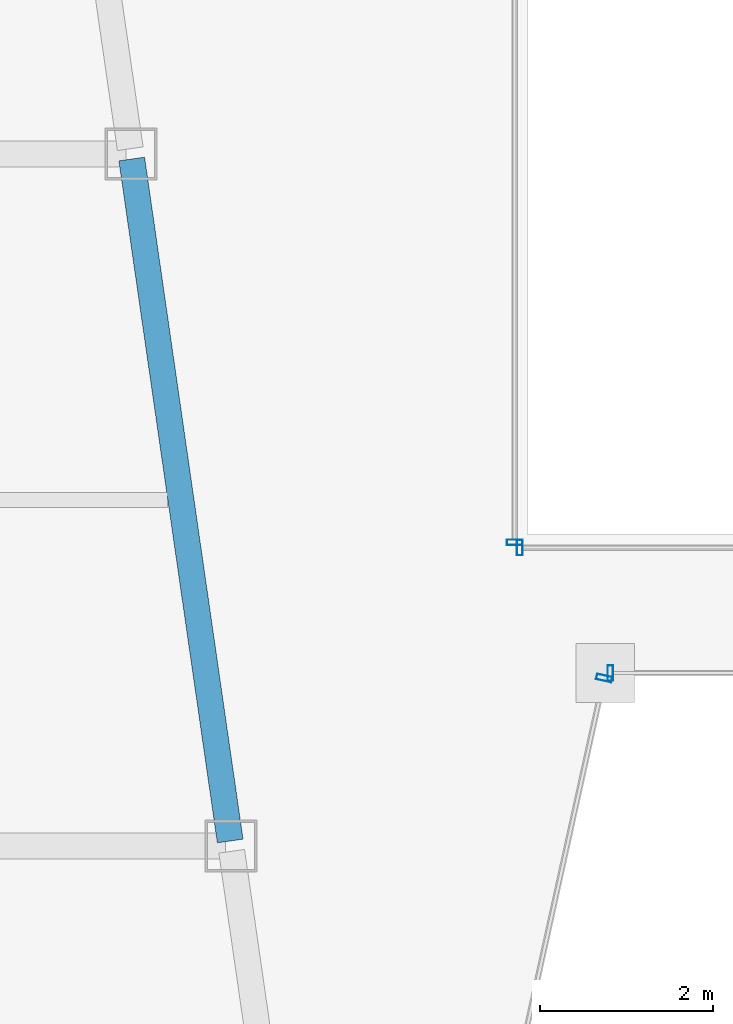
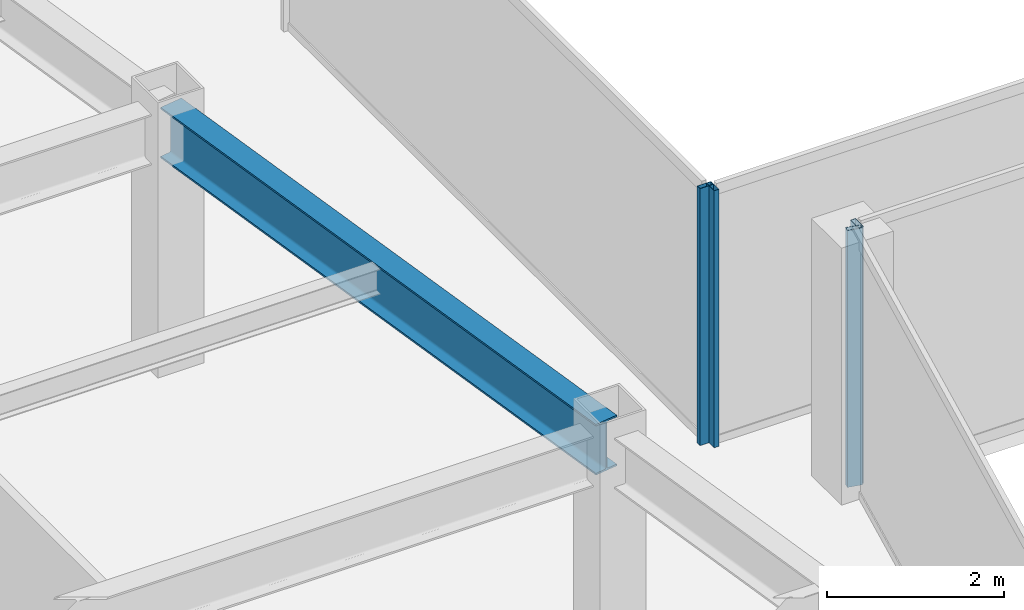
# One storey, part 6 of 35: 4 members, 1 beam, 4 elements without a shape of their own.
"""IFC4 building model written with IfcOpenShell, lengths in metres."""

from ifc_helpers import new_model, si_unit, direction, frame, origin, origin_2d, place, context, subcontext, project, spatial, hollow_rectangle, i_section, extrude, material, material_profile, profile_set, type_object, element, aggregate, save


model = new_model("IFC4")

# Units and contexts
model_context = context("Model", 3, precision=1e-05, world=origin(), true_north=direction((0.0, 1.0)))
body_context = subcontext(model_context, "Body", "Model", "MODEL_VIEW")
ifc_project = project(units=[si_unit("LENGTHUNIT", "METRE"), si_unit("AREAUNIT", "SQUARE_METRE"), si_unit("VOLUMEUNIT", "CUBIC_METRE"), si_unit("PLANEANGLEUNIT", "RADIAN"), si_unit("MASSUNIT", "GRAM", prefix="KILO")], contexts=[model_context])

# Site, building, storey
site_placement = place(None, origin())
site = spatial("IfcSite", under=ifc_project, at=site_placement, CompositionType="ELEMENT")
building_placement = place(site_placement, origin())
building = spatial("IfcBuilding", under=site, at=building_placement, Name="Saevonmaru Cultural Tower", CompositionType="ELEMENT")
storey_placement = place(building_placement, frame((0.0, 0.0, 175.199951171875)))
storey = spatial("IfcBuildingStorey", under=building, at=storey_placement, Name="L39", CompositionType="ELEMENT", Elevation=175.199951171875)

# Beam
ifc_material_1 = material(Name="Steel SM355", Category="steel")
ifc_material_profile_1 = material_profile(ifc_material_1, i_section(OverallWidth=0.300048828125, OverallDepth=0.699951171875, WebThickness=0.012939453125, FlangeThickness=0.02392578125, FilletRadius=0.02587890625, at=origin_2d()), Name="H-700x300x13x24")
ifc_profile_set_1 = profile_set([ifc_material_profile_1], Name="Steel SM355")
beam_type = type_object("IfcBeamType", Name="BM-G-H700", PredefinedType="BEAM", material=ifc_profile_set_1)
beam_placement = place(storey_placement, frame((20.763427734375, 24.059326171875, 3.199951171875), z_axis=(-0.142902032203, 0.989736838353, 0.0), x_axis=(-0.989736838353, -0.142902032203, 0.0)))
element("IfcBeam", 1, at=beam_placement, inside=storey, type_object=beam_type, Name="L39 West Atrium Girder 2", PredefinedType="BEAM", context=body_context, shape_type="SweptSolid", body=[
    extrude(i_section(OverallWidth=0.300048828125, OverallDepth=0.699951171875, WebThickness=0.012939453125, FlangeThickness=0.02392578125, FilletRadius=0.02587890625, at=origin_2d()), origin(), (0.0, 0.0, 1.0), 7.963134765625),
])

# Curtain wall, member
ifc_material_2 = material(Name="Satin Bronze Anodised Aluminium", Category="aluminium")
curtain_wall_type_1 = type_object("IfcCurtainWallType", Name="CW-TYP-B", PredefinedType="NOTDEFINED", material=ifc_material_2)
curtain_wall_1_placement = place(storey_placement, origin())
curtain_wall_1 = element("IfcCurtainWall", 2, at=curtain_wall_1_placement, inside=storey, type_object=curtain_wall_type_1, Name="L39 Unitised Curtain Wall E3", PredefinedType="NOTDEFINED")
ifc_material_profile_2 = material_profile(ifc_material_2, hollow_rectangle(XDim=0.06494140625, YDim=0.179931640625, WallThickness=0.00390625, at=origin_2d()), Name="ALU-MULL-180x65x4")
ifc_profile_set_2 = profile_set([ifc_material_profile_2], Name="Satin Bronze Anodised Aluminium")
member_type_1 = type_object("IfcMemberType", Name="ML-CW-180x65", PredefinedType="MULLION", material=ifc_profile_set_2)
member_1_placement = place(storey_placement, frame((25.0849609375, 25.94140625, 0.0), z_axis=(0.0, 0.0, 1.0), x_axis=(0.215413319953, 0.976522965212, 0.0)))
member_1 = element("IfcMember", 3, at=member_1_placement, type_object=member_type_1, Name="CW-TW-L39-E3 mullion 2", PredefinedType="MULLION", context=body_context, shape_type="SweptSolid", body=[
    extrude(hollow_rectangle(XDim=0.06494140625, YDim=0.179931640625, WallThickness=0.00390625, at=origin_2d()), origin(), (0.0, 0.0, 1.0), 3.550048828125),
])
aggregate(curtain_wall_1, [member_1])

curtain_wall_2_placement = place(storey_placement, origin())
curtain_wall_2 = element("IfcCurtainWall", 4, at=curtain_wall_2_placement, inside=storey, type_object=curtain_wall_type_1, Name="L39 Unitised Curtain Wall E4", PredefinedType="NOTDEFINED")
member_2_placement = place(storey_placement, frame((25.15771484375, 26.0, 0.0), z_axis=(0.0, 0.0, 1.0), x_axis=(1.0, 0.0, 0.0)))
member_2 = element("IfcMember", 5, at=member_2_placement, type_object=member_type_1, Name="CW-TW-L39-E4 mullion 1", PredefinedType="MULLION", context=body_context, shape_type="SweptSolid", body=[
    extrude(hollow_rectangle(XDim=0.06494140625, YDim=0.179931640625, WallThickness=0.00390625, at=origin_2d()), origin(), (0.0, 0.0, 1.0), 3.550048828125),
])
aggregate(curtain_wall_2, [member_2])

curtain_wall_type_2 = type_object("IfcCurtainWallType", Name="CW-ATR-GLZ", PredefinedType="NOTDEFINED", material=ifc_material_2)
curtain_wall_3_placement = place(storey_placement, origin())
curtain_wall_3 = element("IfcCurtainWall", 6, at=curtain_wall_3_placement, inside=storey, type_object=curtain_wall_type_2, Name="L39 Vertical Atrium Glazed Smoke Screen 1", PredefinedType="NOTDEFINED")
ifc_material_profile_3 = material_profile(ifc_material_2, hollow_rectangle(XDim=0.06494140625, YDim=0.179931640625, WallThickness=0.00390625, at=origin_2d()), Name="ALU-MULL-180x65x4")
ifc_profile_set_3 = profile_set([ifc_material_profile_3], Name="Satin Bronze Anodised Aluminium")
member_type_2 = type_object("IfcMemberType", Name="ML-CW-INT-180x65", PredefinedType="MULLION", material=ifc_profile_set_3)
member_3_placement = place(storey_placement, frame((24.110107421875, 27.449951171875, 0.0), z_axis=(0.0, 0.0, 1.0), x_axis=(1.0, 0.0, 0.0)))
member_3 = element("IfcMember", 7, at=member_3_placement, type_object=member_type_2, Name="CW-ATR-L39-1 mullion 1", PredefinedType="MULLION", context=body_context, shape_type="SweptSolid", body=[
    extrude(hollow_rectangle(XDim=0.06494140625, YDim=0.179931640625, WallThickness=0.00390625, at=origin_2d()), origin(), (0.0, 0.0, 1.0), 3.550048828125),
])
aggregate(curtain_wall_3, [member_3])

curtain_wall_4_placement = place(storey_placement, origin())
curtain_wall_4 = element("IfcCurtainWall", 8, at=curtain_wall_4_placement, inside=storey, type_object=curtain_wall_type_2, Name="L39 Vertical Atrium Glazed Smoke Screen 4", PredefinedType="NOTDEFINED")
member_4_placement = place(storey_placement, frame((24.050048828125, 27.510009765625, 0.0), z_axis=(0.0, 0.0, 1.0), x_axis=(0.0, -1.0, 0.0)))
member_4 = element("IfcMember", 9, at=member_4_placement, type_object=member_type_2, Name="CW-ATR-L39-4 mullion 2", PredefinedType="MULLION", context=body_context, shape_type="SweptSolid", body=[
    extrude(hollow_rectangle(XDim=0.06494140625, YDim=0.179931640625, WallThickness=0.00390625, at=origin_2d()), origin(), (0.0, 0.0, 1.0), 3.550048828125),
])
aggregate(curtain_wall_4, [member_4])

save(model, "model.ifc")
